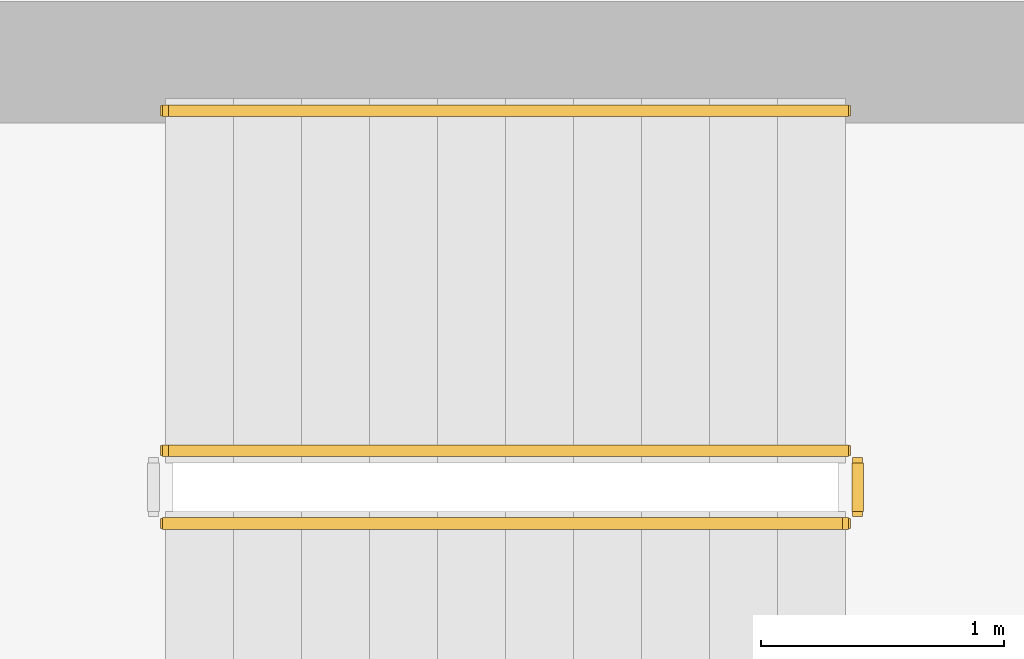
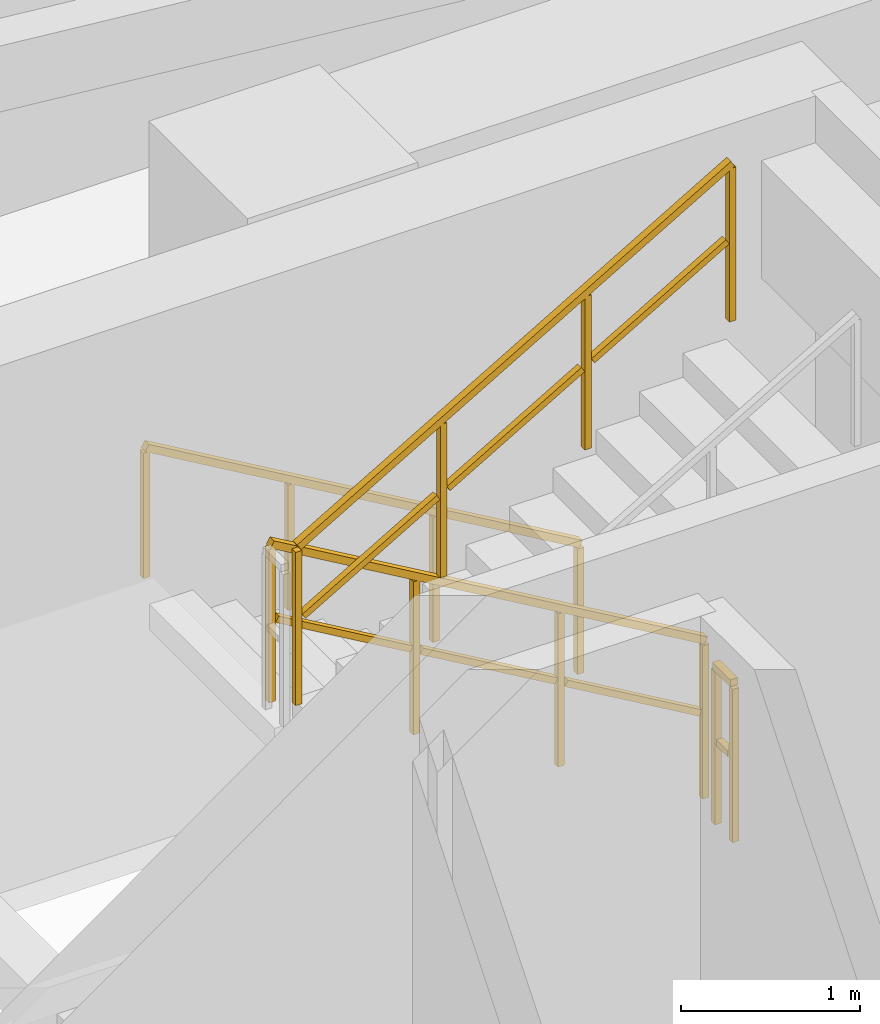
# One storey, part 34 of 36: 4 railings.
"""IFC4 building model written with IfcOpenShell, lengths in metres."""

from ifc_helpers import new_model, si_unit, direction, frame, origin, origin_2d, place, context, subcontext, project, spatial, rectangle, extrude, material, type_object, element, save


model = new_model("IFC4")

# Units and contexts
model_context = context("Model", 3, precision=1e-05, world=origin(), true_north=direction((0.0, 1.0)))
body_context = subcontext(model_context, "Body", "Model", "MODEL_VIEW")
ifc_project = project(units=[si_unit("LENGTHUNIT", "METRE"), si_unit("AREAUNIT", "SQUARE_METRE"), si_unit("VOLUMEUNIT", "CUBIC_METRE"), si_unit("PLANEANGLEUNIT", "RADIAN"), si_unit("MASSUNIT", "GRAM", prefix="KILO")], contexts=[model_context])

# Site, building, storey
site_placement = place(None, origin())
site = spatial("IfcSite", under=ifc_project, at=site_placement, CompositionType="ELEMENT")
building_placement = place(site_placement, origin())
building = spatial("IfcBuilding", under=site, at=building_placement, Name="Thornwick Lancets Civic Towers", CompositionType="ELEMENT")
storey_placement = place(building_placement, frame((0.0, 0.0, 170.699951171875)))
storey = spatial("IfcBuildingStorey", under=building, at=storey_placement, Name="L45", CompositionType="ELEMENT", Elevation=170.699951171875)

# Railings
ifc_material_1 = material(Name="Brushed stainless steel S355", Category="steel")
railing_type_1 = type_object("IfcRailingType", Name="RAIL_HANDRAIL", PredefinedType="HANDRAIL", material=ifc_material_1)
railing_1_placement = place(storey_placement, frame((31.60009765625, 38.949951171875, 0.16357421875)))
element("IfcRailing", 1, at=railing_1_placement, inside=storey, type_object=railing_type_1, Name="L45 ST-A2 stair handrail 1", PredefinedType="HANDRAIL", context=body_context, shape_type="SweptSolid", body=[
    extrude(rectangle(XDim=0.048095703125, YDim=0.048095703125, at=origin_2d()), frame((0.0, 0.0, 0.8857421875), z_axis=(-0.863360870873, 0.0, 0.504586966384), x_axis=(0.0, -1.0, 0.0)), (0.0, 0.0, 1.0), 3.2431640625),
    extrude(rectangle(XDim=0.0419921875, YDim=0.0419921875, at=origin_2d()), origin(), (0.0, 0.0, 1.0), 0.855712890625),
    extrude(rectangle(XDim=0.0419921875, YDim=0.0419921875, at=origin_2d()), frame((-0.933349609375, 0.0, 0.54541015625)), (0.0, 0.0, 1.0), 0.855712890625),
    extrude(rectangle(XDim=0.0419921875, YDim=0.0419921875, at=origin_2d()), frame((-1.86669921875, 0.0, 1.091064453125)), (0.0, 0.0, 1.0), 0.855712890625),
    extrude(rectangle(XDim=0.0419921875, YDim=0.0419921875, at=origin_2d()), frame((-2.800048828125, 0.0, 1.636474609375)), (0.0, 0.0, 1.0), 0.855712890625),
])
ifc_material_2 = material(Name="Steel S355JR", Category="steel")
railing_type_2 = type_object("IfcRailingType", Name="RAIL_STAIR_GUARD", PredefinedType="GUARDRAIL", material=ifc_material_2)
railing_2_placement = place(storey_placement, frame((31.60009765625, 37.550048828125, 0.16357421875)))
element("IfcRailing", 2, at=railing_2_placement, inside=storey, type_object=railing_type_2, Name="L45 ST-A2 stair guard 1", PredefinedType="GUARDRAIL", context=body_context, shape_type="SweptSolid", body=[
    extrude(rectangle(XDim=0.048095703125, YDim=0.048095703125, at=origin_2d()), frame((0.0, 0.0, 1.076171875), z_axis=(-0.863360870873, 0.0, 0.504586966384), x_axis=(0.0, -1.0, 0.0)), (0.0, 0.0, 1.0), 3.2431640625),
    extrude(rectangle(XDim=0.0419921875, YDim=0.0419921875, at=origin_2d()), frame((-0.032470703125, 0.0, 0.591064453125), z_axis=(-0.863360870873, 0.0, 0.504586966384), x_axis=(0.0, -1.0, 0.0)), (0.0, 0.0, 1.0), 1.006103515625),
    extrude(rectangle(XDim=0.0419921875, YDim=0.0419921875, at=origin_2d()), frame((-0.9658203125, 0.0, 1.136474609375), z_axis=(-0.863360870873, 0.0, 0.504586966384), x_axis=(0.0, -1.0, 0.0)), (0.0, 0.0, 1.0), 1.006103515625),
    extrude(rectangle(XDim=0.0419921875, YDim=0.0419921875, at=origin_2d()), frame((-1.899169921875, 0.0, 1.681884765625), z_axis=(-0.863360870873, 0.0, 0.504586966384), x_axis=(0.0, -1.0, 0.0)), (0.0, 0.0, 1.0), 1.006103515625),
    extrude(rectangle(XDim=0.0419921875, YDim=0.0419921875, at=origin_2d()), origin(), (0.0, 0.0, 1.0), 1.0458984375),
    extrude(rectangle(XDim=0.0419921875, YDim=0.0419921875, at=origin_2d()), frame((-0.933349609375, 0.0, 0.54541015625)), (0.0, 0.0, 1.0), 1.0458984375),
    extrude(rectangle(XDim=0.0419921875, YDim=0.0419921875, at=origin_2d()), frame((-1.86669921875, 0.0, 1.091064453125)), (0.0, 0.0, 1.0), 1.0458984375),
    extrude(rectangle(XDim=0.0419921875, YDim=0.0419921875, at=origin_2d()), frame((-2.800048828125, 0.0, 1.636474609375)), (0.0, 0.0, 1.0), 1.0458984375),
])
railing_3_placement = place(storey_placement, frame((28.800048828125, 37.25, 1.963623046875)))
element("IfcRailing", 3, at=railing_3_placement, inside=storey, type_object=railing_type_2, Name="L45 ST-A2 stair guard 3", PredefinedType="GUARDRAIL", context=body_context, shape_type="SweptSolid", body=[
    extrude(rectangle(XDim=0.048095703125, YDim=0.048095703125, at=origin_2d()), frame((0.0, 0.0, 1.076171875), z_axis=(0.863360870873, 0.0, 0.504586966384), x_axis=(0.0, 1.0, 0.0)), (0.0, 0.0, 1.0), 3.2431640625),
    extrude(rectangle(XDim=0.0419921875, YDim=0.0419921875, at=origin_2d()), frame((0.032470703125, 0.0, 0.591064453125), z_axis=(0.863360870873, 0.0, 0.504586966384), x_axis=(0.0, 1.0, 0.0)), (0.0, 0.0, 1.0), 1.006103515625),
    extrude(rectangle(XDim=0.0419921875, YDim=0.0419921875, at=origin_2d()), frame((0.9658203125, 0.0, 1.136474609375), z_axis=(0.863360870873, 0.0, 0.504586966384), x_axis=(0.0, 1.0, 0.0)), (0.0, 0.0, 1.0), 1.006103515625),
    extrude(rectangle(XDim=0.0419921875, YDim=0.0419921875, at=origin_2d()), frame((1.899169921875, 0.0, 1.681884765625), z_axis=(0.863360870873, 0.0, 0.504586966384), x_axis=(0.0, 1.0, 0.0)), (0.0, 0.0, 1.0), 1.006103515625),
    extrude(rectangle(XDim=0.0419921875, YDim=0.0419921875, at=origin_2d()), origin(), (0.0, 0.0, 1.0), 1.0458984375),
    extrude(rectangle(XDim=0.0419921875, YDim=0.0419921875, at=origin_2d()), frame((0.933349609375, 0.0, 0.54541015625)), (0.0, 0.0, 1.0), 1.0458984375),
    extrude(rectangle(XDim=0.0419921875, YDim=0.0419921875, at=origin_2d()), frame((1.86669921875, 0.0, 1.091064453125)), (0.0, 0.0, 1.0), 1.0458984375),
    extrude(rectangle(XDim=0.0419921875, YDim=0.0419921875, at=origin_2d()), frame((2.800048828125, 0.0, 1.636474609375)), (0.0, 0.0, 1.0), 1.0458984375),
])
railing_4_placement = place(storey_placement, frame((31.64990234375, 37.5, 0.0)))
element("IfcRailing", 4, at=railing_4_placement, inside=storey, type_object=railing_type_2, Name="L45 ST-A2 stair guard 4", PredefinedType="GUARDRAIL", context=body_context, shape_type="SweptSolid", body=[
    extrude(rectangle(XDim=0.048095703125, YDim=0.048095703125, at=origin_2d()), frame((0.0, 0.0, 1.076171875), z_axis=(0.0, -1.0, 0.0), x_axis=(1.0, 0.0, 0.0)), (0.0, 0.0, 1.0), 0.199951171875),
    extrude(rectangle(XDim=0.0419921875, YDim=0.0419921875, at=origin_2d()), frame((0.0, -0.03759765625, 0.572021484375), z_axis=(0.0, -1.0, 0.0), x_axis=(1.0, 0.0, 0.0)), (0.0, 0.0, 1.0), 0.125),
    extrude(rectangle(XDim=0.0419921875, YDim=0.0419921875, at=origin_2d()), origin(), (0.0, 0.0, 1.0), 1.0458984375),
    extrude(rectangle(XDim=0.0419921875, YDim=0.0419921875, at=origin_2d()), frame((0.0, -0.199951171875, 0.0)), (0.0, 0.0, 1.0), 1.0458984375),
])

save(model, "model.ifc")
